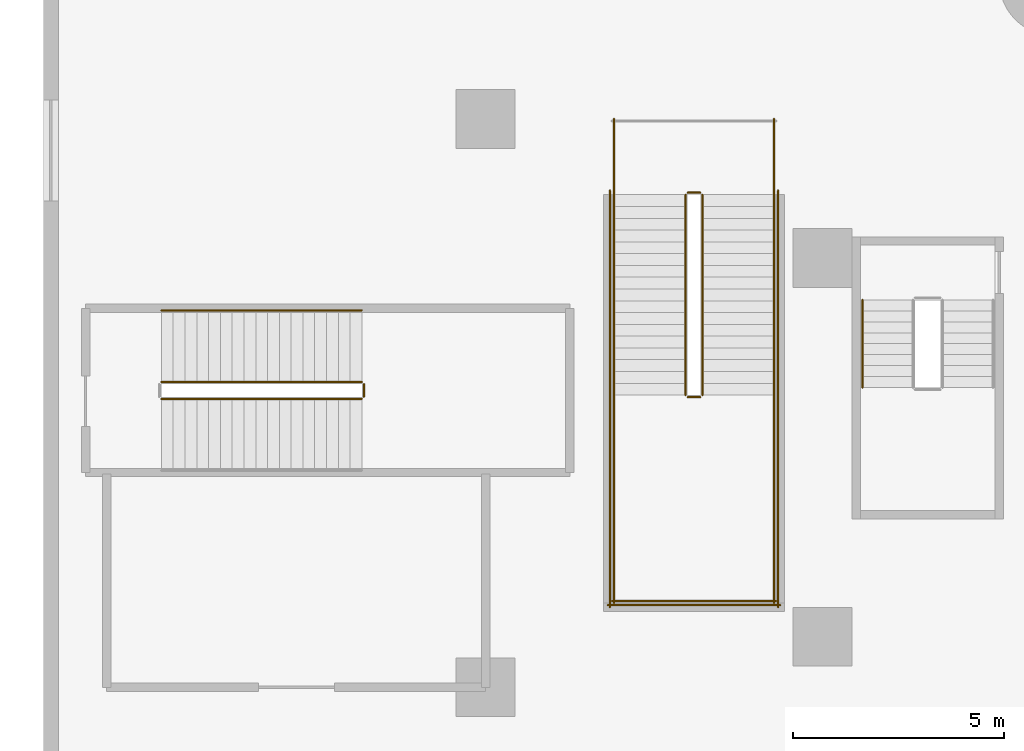
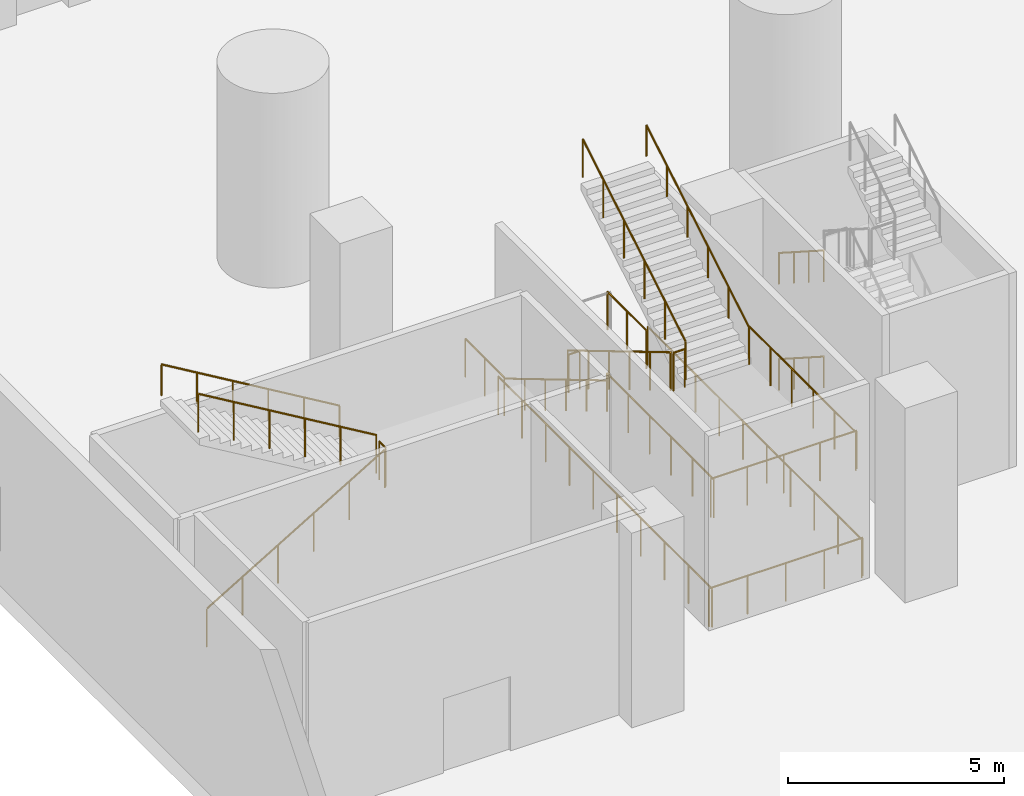
# One storey, part 40 of 52: 20 railings.
"""IFC4 building model written with IfcOpenShell, lengths in metres."""

from ifc_helpers import new_model, si_unit, direction, frame, origin, origin_2d, place, context, subcontext, project, spatial, circle, extrude, material, type_object, element, save


model = new_model("IFC4")

# Units and contexts
model_context = context("Model", 3, precision=1e-05, world=origin(), true_north=direction((0.0, 1.0)))
body_context = subcontext(model_context, "Body", "Model", "MODEL_VIEW")
ifc_project = project(units=[si_unit("LENGTHUNIT", "METRE"), si_unit("AREAUNIT", "SQUARE_METRE"), si_unit("VOLUMEUNIT", "CUBIC_METRE"), si_unit("PLANEANGLEUNIT", "RADIAN"), si_unit("MASSUNIT", "GRAM", prefix="KILO")], contexts=[model_context])

# Site, building, storey
site_placement = place(None, origin())
site = spatial("IfcSite", under=ifc_project, at=site_placement, CompositionType="ELEMENT")
building_placement = place(site_placement, origin())
building = spatial("IfcBuilding", under=site, at=building_placement, Name="Tamarind Cross Interchange Tower", CompositionType="ELEMENT")
storey_placement = place(building_placement, frame((0.0, 0.0, 9.0)))
storey = spatial("IfcBuildingStorey", under=building, at=storey_placement, Name="L01", CompositionType="ELEMENT", Elevation=9.0)

# Railings
ifc_material_1 = material(Name="Public stair guard")
railing_type_1 = type_object("IfcRailingType", Name="Public stair guard", PredefinedType="GUARDRAIL", material=ifc_material_1)
railing_1_placement = place(storey_placement, frame((-8.75, -28.800048828125, 0.166748046875)))
element("IfcRailing", 1, at=railing_1_placement, inside=storey, type_object=railing_type_1, Name="L01 PS-S stair guard 1", PredefinedType="GUARDRAIL", context=body_context, shape_type="SweptSolid", body=[
    extrude(circle(Radius=0.02392578125, at=origin_2d()), frame((0.0, 0.0, 1.076171875), z_axis=(0.0, -0.859299802514, 0.511472237174), x_axis=(1.0, 0.0, 0.0)), (0.0, 0.0, 1.0), 5.539306640625),
    extrude(circle(Radius=0.02099609375, at=origin_2d()), origin(), (0.0, 0.0, 1.0), 1.052001953125),
    extrude(circle(Radius=0.02099609375, at=origin_2d()), frame((0.0, -0.951904296875, 0.566650390625)), (0.0, 0.0, 1.0), 1.052001953125),
    extrude(circle(Radius=0.02099609375, at=origin_2d()), frame((0.0, -1.904052734375, 1.13330078125)), (0.0, 0.0, 1.0), 1.052001953125),
    extrude(circle(Radius=0.02099609375, at=origin_2d()), frame((0.0, -2.85595703125, 1.699951171875)), (0.0, 0.0, 1.0), 1.052001953125),
    extrude(circle(Radius=0.02099609375, at=origin_2d()), frame((0.0, -3.80810546875, 2.2666015625)), (0.0, 0.0, 1.0), 1.052001953125),
    extrude(circle(Radius=0.02099609375, at=origin_2d()), frame((0.0, -4.760009765625, 2.833251953125)), (0.0, 0.0, 1.0), 1.052001953125),
])
railing_2_placement = place(storey_placement, frame((-8.699951171875, -33.610107421875, 3.0)))
element("IfcRailing", 2, at=railing_2_placement, inside=storey, type_object=railing_type_1, Name="L01 PS-S stair guard 2", PredefinedType="GUARDRAIL", context=body_context, shape_type="SweptSolid", body=[
    extrude(circle(Radius=0.02392578125, at=origin_2d()), frame((0.0, 0.0, 1.076171875), z_axis=(1.0, 0.0, 0.0), x_axis=(0.0, 1.0, 0.0)), (0.0, 0.0, 1.0), 0.300048828125),
    extrude(circle(Radius=0.02099609375, at=origin_2d()), origin(), (0.0, 0.0, 1.0), 1.052001953125),
    extrude(circle(Radius=0.02099609375, at=origin_2d()), frame((0.300048828125, 0.0, 0.0)), (0.0, 0.0, 1.0), 1.052001953125),
])
for number, where, name in (
    (3, (-10.449951171875, -33.56005859375, 3.0), "L01 PS-S stair guard 3"),
    (4, (-6.64990234375, -33.56005859375, 3.0), "L01 PS-S stair guard 4"),
):
    element("IfcRailing", number, at=place(storey_placement, frame(where)), inside=storey, type_object=railing_type_1, Name=name, PredefinedType="GUARDRAIL", context=body_context, shape_type="SweptSolid", body=[
        extrude(circle(Radius=0.02392578125, at=origin_2d()), frame((0.0, 0.0, 1.076171875), z_axis=(0.0, -1.0, 0.0), x_axis=(1.0, 0.0, 0.0)), (0.0, 0.0, 1.0), 4.93994140625),
        extrude(circle(Radius=0.02099609375, at=origin_2d()), origin(), (0.0, 0.0, 1.0), 1.052001953125),
        extrude(circle(Radius=0.02099609375, at=origin_2d()), frame((0.0, -0.988037109375, 0.0)), (0.0, 0.0, 1.0), 1.052001953125),
        extrude(circle(Radius=0.02099609375, at=origin_2d()), frame((0.0, -1.97607421875, 0.0)), (0.0, 0.0, 1.0), 1.052001953125),
        extrude(circle(Radius=0.02099609375, at=origin_2d()), frame((0.0, -2.9638671875, 0.0)), (0.0, 0.0, 1.0), 1.052001953125),
        extrude(circle(Radius=0.02099609375, at=origin_2d()), frame((0.0, -3.951904296875, 0.0)), (0.0, 0.0, 1.0), 1.052001953125),
        extrude(circle(Radius=0.02099609375, at=origin_2d()), frame((0.0, -4.93994140625, 0.0)), (0.0, 0.0, 1.0), 1.052001953125),
    ])
railing_3_placement = place(storey_placement, frame((-10.5, -38.449951171875, 3.0)))
element("IfcRailing", 5, at=railing_3_placement, inside=storey, type_object=railing_type_1, Name="L01 PS-S stair guard 5", PredefinedType="GUARDRAIL", context=body_context, shape_type="SweptSolid", body=[
    extrude(circle(Radius=0.02392578125, at=origin_2d()), frame((0.0, 0.0, 1.076171875), z_axis=(1.0, 0.0, 0.0), x_axis=(0.0, 1.0, 0.0)), (0.0, 0.0, 1.0), 3.89990234375),
    extrude(circle(Radius=0.02099609375, at=origin_2d()), origin(), (0.0, 0.0, 1.0), 1.052001953125),
    extrude(circle(Radius=0.02099609375, at=origin_2d()), frame((0.97509765625, 0.0, 0.0)), (0.0, 0.0, 1.0), 1.052001953125),
    extrude(circle(Radius=0.02099609375, at=origin_2d()), frame((1.949951171875, 0.0, 0.0)), (0.0, 0.0, 1.0), 1.052001953125),
    extrude(circle(Radius=0.02099609375, at=origin_2d()), frame((2.9248046875, 0.0, 0.0)), (0.0, 0.0, 1.0), 1.052001953125),
    extrude(circle(Radius=0.02099609375, at=origin_2d()), frame((3.89990234375, 0.0, 0.0)), (0.0, 0.0, 1.0), 1.052001953125),
])
railing_4_placement = place(storey_placement, frame((-8.35009765625, -33.56005859375, 3.166748046875)))
element("IfcRailing", 6, at=railing_4_placement, inside=storey, type_object=railing_type_1, Name="L01 PS-S stair guard 6", PredefinedType="GUARDRAIL", context=body_context, shape_type="SweptSolid", body=[
    extrude(circle(Radius=0.02392578125, at=origin_2d()), frame((0.0, 0.0, 1.076171875), z_axis=(0.0, 0.859299802514, 0.511472237174), x_axis=(-1.0, 0.0, 0.0)), (0.0, 0.0, 1.0), 5.539306640625),
    extrude(circle(Radius=0.02099609375, at=origin_2d()), origin(), (0.0, 0.0, 1.0), 1.052001953125),
    extrude(circle(Radius=0.02099609375, at=origin_2d()), frame((0.0, 0.951904296875, 0.566650390625)), (0.0, 0.0, 1.0), 1.052001953125),
    extrude(circle(Radius=0.02099609375, at=origin_2d()), frame((0.0, 1.904052734375, 1.13330078125)), (0.0, 0.0, 1.0), 1.052001953125),
    extrude(circle(Radius=0.02099609375, at=origin_2d()), frame((0.0, 2.85595703125, 1.699951171875)), (0.0, 0.0, 1.0), 1.052001953125),
    extrude(circle(Radius=0.02099609375, at=origin_2d()), frame((0.0, 3.80810546875, 2.2666015625)), (0.0, 0.0, 1.0), 1.052001953125),
    extrude(circle(Radius=0.02099609375, at=origin_2d()), frame((0.0, 4.760009765625, 2.833251953125)), (0.0, 0.0, 1.0), 1.052001953125),
])
railing_5_placement = place(storey_placement, frame((-8.699951171875, -28.75, 0.0)))
element("IfcRailing", 7, at=railing_5_placement, inside=storey, type_object=railing_type_1, Name="L01 PS-S stair guard 7", PredefinedType="GUARDRAIL", context=body_context, shape_type="SweptSolid", body=[
    extrude(circle(Radius=0.02392578125, at=origin_2d()), frame((0.0, 0.0, 1.076171875), z_axis=(1.0, 0.0, 0.0), x_axis=(0.0, 1.0, 0.0)), (0.0, 0.0, 1.0), 0.300048828125),
    extrude(circle(Radius=0.02099609375, at=origin_2d()), origin(), (0.0, 0.0, 1.0), 1.052001953125),
    extrude(circle(Radius=0.02099609375, at=origin_2d()), frame((0.300048828125, 0.0, 0.0)), (0.0, 0.0, 1.0), 1.052001953125),
])
for number, where, name in (
    (8, (-10.449951171875, -27.0, 0.0), "L01 PS-S stair guard 8"),
    (9, (-6.64990234375, -27.0, 0.0), "L01 PS-S stair guard 9"),
):
    element("IfcRailing", number, at=place(storey_placement, frame(where)), inside=storey, type_object=railing_type_1, Name=name, PredefinedType="GUARDRAIL", context=body_context, shape_type="SweptSolid", body=[
        extrude(circle(Radius=0.02392578125, at=origin_2d()), frame((0.0, 0.0, 1.076171875), z_axis=(0.0, -1.0, 0.0), x_axis=(1.0, 0.0, 0.0)), (0.0, 0.0, 1.0), 1.800048828125),
        extrude(circle(Radius=0.02099609375, at=origin_2d()), origin(), (0.0, 0.0, 1.0), 1.052001953125),
        extrude(circle(Radius=0.02099609375, at=origin_2d()), frame((0.0, -0.89990234375, 0.0)), (0.0, 0.0, 1.0), 1.052001953125),
        extrude(circle(Radius=0.02099609375, at=origin_2d()), frame((0.0, -1.800048828125, 0.0)), (0.0, 0.0, 1.0), 1.052001953125),
    ])
for number, where, name in (
    (10, (-10.550048828125, -28.699951171875, 0.0), "L01 PS-S stair guard 11"),
    (11, (-6.550048828125, -28.699951171875, 0.0), "L01 PS-S stair guard 12"),
):
    element("IfcRailing", number, at=place(storey_placement, frame(where)), inside=storey, type_object=railing_type_1, Name=name, PredefinedType="GUARDRAIL", context=body_context, shape_type="SweptSolid", body=[
        extrude(circle(Radius=0.02392578125, at=origin_2d()), frame((0.0, 0.0, 1.076171875), z_axis=(0.0, -1.0, 0.0), x_axis=(1.0, 0.0, 0.0)), (0.0, 0.0, 1.0), 9.900146484375),
        extrude(circle(Radius=0.02099609375, at=origin_2d()), origin(), (0.0, 0.0, 1.0), 1.052001953125),
        extrude(circle(Radius=0.02099609375, at=origin_2d()), frame((0.0, -1.10009765625, 0.0)), (0.0, 0.0, 1.0), 1.052001953125),
        extrude(circle(Radius=0.02099609375, at=origin_2d()), frame((0.0, -2.199951171875, 0.0)), (0.0, 0.0, 1.0), 1.052001953125),
        extrude(circle(Radius=0.02099609375, at=origin_2d()), frame((0.0, -3.300048828125, 0.0)), (0.0, 0.0, 1.0), 1.052001953125),
        extrude(circle(Radius=0.02099609375, at=origin_2d()), frame((0.0, -4.400146484375, 0.0)), (0.0, 0.0, 1.0), 1.052001953125),
        extrude(circle(Radius=0.02099609375, at=origin_2d()), frame((0.0, -5.5, 0.0)), (0.0, 0.0, 1.0), 1.052001953125),
        extrude(circle(Radius=0.02099609375, at=origin_2d()), frame((0.0, -6.60009765625, 0.0)), (0.0, 0.0, 1.0), 1.052001953125),
        extrude(circle(Radius=0.02099609375, at=origin_2d()), frame((0.0, -7.7001953125, 0.0)), (0.0, 0.0, 1.0), 1.052001953125),
        extrude(circle(Radius=0.02099609375, at=origin_2d()), frame((0.0, -8.800048828125, 0.0)), (0.0, 0.0, 1.0), 1.052001953125),
        extrude(circle(Radius=0.02099609375, at=origin_2d()), frame((0.0, -9.900146484375, 0.0)), (0.0, 0.0, 1.0), 1.052001953125),
    ])
railing_6_placement = place(storey_placement, frame((-10.60009765625, -38.550048828125, 0.0)))
element("IfcRailing", 12, at=railing_6_placement, inside=storey, type_object=railing_type_1, Name="L01 PS-S stair guard 13", PredefinedType="GUARDRAIL", context=body_context, shape_type="SweptSolid", body=[
    extrude(circle(Radius=0.02392578125, at=origin_2d()), frame((0.0, 0.0, 1.076171875), z_axis=(1.0, 0.0, 0.0), x_axis=(0.0, 1.0, 0.0)), (0.0, 0.0, 1.0), 4.10009765625),
    extrude(circle(Radius=0.02099609375, at=origin_2d()), origin(), (0.0, 0.0, 1.0), 1.052001953125),
    extrude(circle(Radius=0.02099609375, at=origin_2d()), frame((1.02490234375, 0.0, 0.0)), (0.0, 0.0, 1.0), 1.052001953125),
    extrude(circle(Radius=0.02099609375, at=origin_2d()), frame((2.050048828125, 0.0, 0.0)), (0.0, 0.0, 1.0), 1.052001953125),
    extrude(circle(Radius=0.02099609375, at=origin_2d()), frame((3.0751953125, 0.0, 0.0)), (0.0, 0.0, 1.0), 1.052001953125),
    extrude(circle(Radius=0.02099609375, at=origin_2d()), frame((4.10009765625, 0.0, 0.0)), (0.0, 0.0, 1.0), 1.052001953125),
])
railing_7_placement = place(storey_placement, frame((-21.199951171875, -33.64990234375, 0.166748046875)))
element("IfcRailing", 13, at=railing_7_placement, inside=storey, type_object=railing_type_1, Name="L01 XS-P09 stair guard 1", PredefinedType="GUARDRAIL", context=body_context, shape_type="SweptSolid", body=[
    extrude(circle(Radius=0.02392578125, at=origin_2d()), frame((0.0, 0.0, 1.076171875), z_axis=(0.859299802514, 0.0, 0.511472237174), x_axis=(0.0, 1.0, 0.0)), (0.0, 0.0, 1.0), 5.539306640625),
    extrude(circle(Radius=0.02099609375, at=origin_2d()), origin(), (0.0, 0.0, 1.0), 1.052001953125),
    extrude(circle(Radius=0.02099609375, at=origin_2d()), frame((0.951904296875, 0.0, 0.566650390625)), (0.0, 0.0, 1.0), 1.052001953125),
    extrude(circle(Radius=0.02099609375, at=origin_2d()), frame((1.904052734375, 0.0, 1.13330078125)), (0.0, 0.0, 1.0), 1.052001953125),
    extrude(circle(Radius=0.02099609375, at=origin_2d()), frame((2.85595703125, 0.0, 1.699951171875)), (0.0, 0.0, 1.0), 1.052001953125),
    extrude(circle(Radius=0.02099609375, at=origin_2d()), frame((3.80810546875, 0.0, 2.2666015625)), (0.0, 0.0, 1.0), 1.052001953125),
    extrude(circle(Radius=0.02099609375, at=origin_2d()), frame((4.760009765625, 0.0, 2.833251953125)), (0.0, 0.0, 1.0), 1.052001953125),
])
railing_8_placement = place(storey_placement, frame((-16.389892578125, -33.60009765625, 3.0)))
element("IfcRailing", 14, at=railing_8_placement, inside=storey, type_object=railing_type_1, Name="L01 XS-P09 stair guard 2", PredefinedType="GUARDRAIL", context=body_context, shape_type="SweptSolid", body=[
    extrude(circle(Radius=0.02392578125, at=origin_2d()), frame((0.0, 0.0, 1.076171875), z_axis=(0.0, 1.0, 0.0), x_axis=(-1.0, 0.0, 0.0)), (0.0, 0.0, 1.0), 0.300048828125),
    extrude(circle(Radius=0.02099609375, at=origin_2d()), origin(), (0.0, 0.0, 1.0), 1.052001953125),
    extrude(circle(Radius=0.02099609375, at=origin_2d()), frame((0.0, 0.300048828125, 0.0)), (0.0, 0.0, 1.0), 1.052001953125),
])
railing_9_placement = place(storey_placement, frame((-16.43994140625, -33.25, 3.166748046875)))
element("IfcRailing", 15, at=railing_9_placement, inside=storey, type_object=railing_type_1, Name="L01 XS-P09 stair guard 3", PredefinedType="GUARDRAIL", context=body_context, shape_type="SweptSolid", body=[
    extrude(circle(Radius=0.02392578125, at=origin_2d()), frame((0.0, 0.0, 1.076171875), z_axis=(-0.859299802514, 0.0, 0.511472237174), x_axis=(0.0, -1.0, 0.0)), (0.0, 0.0, 1.0), 5.539306640625),
    extrude(circle(Radius=0.02099609375, at=origin_2d()), origin(), (0.0, 0.0, 1.0), 1.052001953125),
    extrude(circle(Radius=0.02099609375, at=origin_2d()), frame((-0.951904296875, 0.0, 0.566650390625)), (0.0, 0.0, 1.0), 1.052001953125),
    extrude(circle(Radius=0.02099609375, at=origin_2d()), frame((-1.904052734375, 0.0, 1.13330078125)), (0.0, 0.0, 1.0), 1.052001953125),
    extrude(circle(Radius=0.02099609375, at=origin_2d()), frame((-2.85595703125, 0.0, 1.699951171875)), (0.0, 0.0, 1.0), 1.052001953125),
    extrude(circle(Radius=0.02099609375, at=origin_2d()), frame((-3.80810546875, 0.0, 2.2666015625)), (0.0, 0.0, 1.0), 1.052001953125),
    extrude(circle(Radius=0.02099609375, at=origin_2d()), frame((-4.760009765625, 0.0, 2.833251953125)), (0.0, 0.0, 1.0), 1.052001953125),
])
ifc_material_2 = material(Name="Public stair handrail")
railing_type_2 = type_object("IfcRailingType", Name="Public stair handrail", PredefinedType="HANDRAIL", material=ifc_material_2)
railing_10_placement = place(storey_placement, frame((-10.449951171875, -28.800048828125, 0.166748046875)))
element("IfcRailing", 16, at=railing_10_placement, inside=storey, type_object=railing_type_2, Name="L01 PS-S stair handrail 1", PredefinedType="HANDRAIL", context=body_context, shape_type="SweptSolid", body=[
    extrude(circle(Radius=0.02392578125, at=origin_2d()), frame((0.0, 0.0, 0.8759765625), z_axis=(0.0, -0.859299802514, 0.511472237174), x_axis=(1.0, 0.0, 0.0)), (0.0, 0.0, 1.0), 5.539306640625),
    extrude(circle(Radius=0.02099609375, at=origin_2d()), origin(), (0.0, 0.0, 1.0), 0.851806640625),
    extrude(circle(Radius=0.02099609375, at=origin_2d()), frame((0.0, -0.951904296875, 0.566650390625)), (0.0, 0.0, 1.0), 0.851806640625),
    extrude(circle(Radius=0.02099609375, at=origin_2d()), frame((0.0, -1.904052734375, 1.13330078125)), (0.0, 0.0, 1.0), 0.851806640625),
    extrude(circle(Radius=0.02099609375, at=origin_2d()), frame((0.0, -2.85595703125, 1.699951171875)), (0.0, 0.0, 1.0), 0.851806640625),
    extrude(circle(Radius=0.02099609375, at=origin_2d()), frame((0.0, -3.80810546875, 2.2666015625)), (0.0, 0.0, 1.0), 0.851806640625),
    extrude(circle(Radius=0.02099609375, at=origin_2d()), frame((0.0, -4.760009765625, 2.833251953125)), (0.0, 0.0, 1.0), 0.851806640625),
])
railing_11_placement = place(storey_placement, frame((-6.64990234375, -33.56005859375, 3.166748046875)))
element("IfcRailing", 17, at=railing_11_placement, inside=storey, type_object=railing_type_2, Name="L01 PS-S stair handrail 2", PredefinedType="HANDRAIL", context=body_context, shape_type="SweptSolid", body=[
    extrude(circle(Radius=0.02392578125, at=origin_2d()), frame((0.0, 0.0, 0.8759765625), z_axis=(0.0, 0.859299802514, 0.511472237174), x_axis=(-1.0, 0.0, 0.0)), (0.0, 0.0, 1.0), 5.539306640625),
    extrude(circle(Radius=0.02099609375, at=origin_2d()), origin(), (0.0, 0.0, 1.0), 0.851806640625),
    extrude(circle(Radius=0.02099609375, at=origin_2d()), frame((0.0, 0.951904296875, 0.566650390625)), (0.0, 0.0, 1.0), 0.851806640625),
    extrude(circle(Radius=0.02099609375, at=origin_2d()), frame((0.0, 1.904052734375, 1.13330078125)), (0.0, 0.0, 1.0), 0.851806640625),
    extrude(circle(Radius=0.02099609375, at=origin_2d()), frame((0.0, 2.85595703125, 1.699951171875)), (0.0, 0.0, 1.0), 0.851806640625),
    extrude(circle(Radius=0.02099609375, at=origin_2d()), frame((0.0, 3.80810546875, 2.2666015625)), (0.0, 0.0, 1.0), 0.851806640625),
    extrude(circle(Radius=0.02099609375, at=origin_2d()), frame((0.0, 4.760009765625, 2.833251953125)), (0.0, 0.0, 1.0), 0.851806640625),
])
railing_12_placement = place(storey_placement, frame((-16.43994140625, -31.550048828125, 3.166748046875)))
element("IfcRailing", 18, at=railing_12_placement, inside=storey, type_object=railing_type_2, Name="L01 XS-P09 stair handrail 2", PredefinedType="HANDRAIL", context=body_context, shape_type="SweptSolid", body=[
    extrude(circle(Radius=0.02392578125, at=origin_2d()), frame((0.0, 0.0, 0.8759765625), z_axis=(-0.859299802514, 0.0, 0.511472237174), x_axis=(0.0, -1.0, 0.0)), (0.0, 0.0, 1.0), 5.539306640625),
    extrude(circle(Radius=0.02099609375, at=origin_2d()), origin(), (0.0, 0.0, 1.0), 0.851806640625),
    extrude(circle(Radius=0.02099609375, at=origin_2d()), frame((-0.951904296875, 0.0, 0.566650390625)), (0.0, 0.0, 1.0), 0.851806640625),
    extrude(circle(Radius=0.02099609375, at=origin_2d()), frame((-1.904052734375, 0.0, 1.13330078125)), (0.0, 0.0, 1.0), 0.851806640625),
    extrude(circle(Radius=0.02099609375, at=origin_2d()), frame((-2.85595703125, 0.0, 1.699951171875)), (0.0, 0.0, 1.0), 0.851806640625),
    extrude(circle(Radius=0.02099609375, at=origin_2d()), frame((-3.80810546875, 0.0, 2.2666015625)), (0.0, 0.0, 1.0), 0.851806640625),
    extrude(circle(Radius=0.02099609375, at=origin_2d()), frame((-4.760009765625, 0.0, 2.833251953125)), (0.0, 0.0, 1.0), 0.851806640625),
])
ifc_material_3 = material(Name="Stair handrail")
railing_type_3 = type_object("IfcRailingType", Name="Stair handrail", PredefinedType="HANDRAIL", material=ifc_material_3)
for number, where, name in (
    (19, (-4.550048828125, -31.300048828125, 0.166748046875), "L01 ST6 stair handrail 1"),
    (20, (-4.550048828125, -31.300048828125, 3.166748046875), "L01 ST6 stair handrail 3"),
):
    element("IfcRailing", number, at=place(storey_placement, frame(where)), inside=storey, type_object=railing_type_3, Name=name, PredefinedType="HANDRAIL", context=body_context, shape_type="SweptSolid", body=[
        extrude(circle(Radius=0.02392578125, at=origin_2d()), frame((0.0, 0.0, 0.8759765625), z_axis=(0.0, -0.84187453394, 0.539673298491), x_axis=(1.0, 0.0, 0.0)), (0.0, 0.0, 1.0), 2.470458984375),
        extrude(circle(Radius=0.02099609375, at=origin_2d()), origin(), (0.0, 0.0, 1.0), 0.851806640625),
        extrude(circle(Radius=0.02099609375, at=origin_2d()), frame((0.0, -0.693359375, 0.4443359375)), (0.0, 0.0, 1.0), 0.851806640625),
        extrude(circle(Radius=0.02099609375, at=origin_2d()), frame((0.0, -1.386474609375, 0.888916015625)), (0.0, 0.0, 1.0), 0.851806640625),
        extrude(circle(Radius=0.02099609375, at=origin_2d()), frame((0.0, -2.079833984375, 1.333251953125)), (0.0, 0.0, 1.0), 0.851806640625),
    ])

save(model, "model.ifc")
